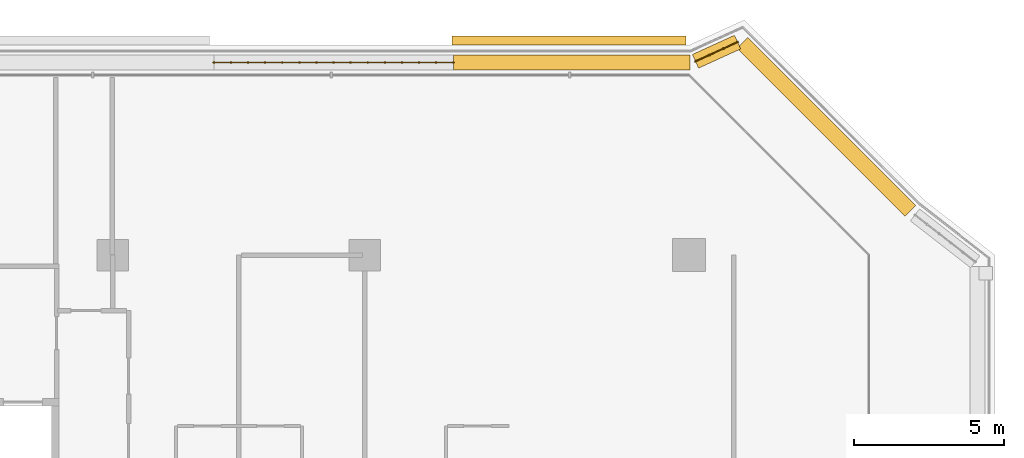
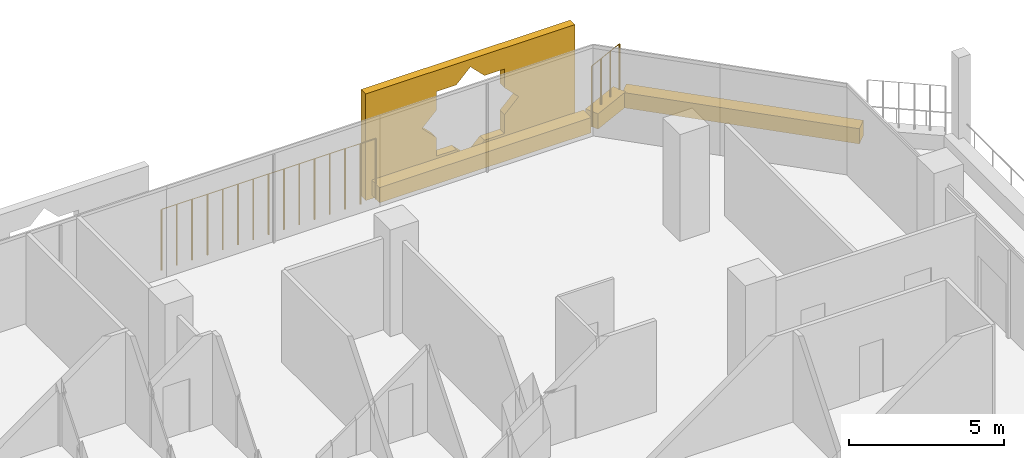
# One storey, part 25 of 25: 4 coverings, 2 railings.
"""IFC4 building model written with IfcOpenShell, lengths in metres."""

from ifc_helpers import new_model, si_unit, direction, frame, origin, origin_2d, place, context, subcontext, project, spatial, polyline, rectangle, circle, outline, extrude, material, material_profile, profile_set, type_object, element, save


model = new_model("IFC4")

# Units and contexts
model_context = context("Model", 3, precision=1e-05, world=origin(), true_north=direction((0.0, 1.0)))
body_context = subcontext(model_context, "Body", "Model", "MODEL_VIEW")
ifc_project = project(units=[si_unit("LENGTHUNIT", "METRE"), si_unit("AREAUNIT", "SQUARE_METRE"), si_unit("VOLUMEUNIT", "CUBIC_METRE"), si_unit("PLANEANGLEUNIT", "RADIAN"), si_unit("MASSUNIT", "GRAM", prefix="KILO")], contexts=[model_context])

# Site, building, storey
site_placement = place(None, origin())
site = spatial("IfcSite", under=ifc_project, at=site_placement, CompositionType="ELEMENT")
building_placement = place(site_placement, origin())
building = spatial("IfcBuilding", under=site, at=building_placement, Name="Kawkab Arch Medical Tower", CompositionType="ELEMENT")
storey_placement = place(building_placement, frame((0.0, 0.0, 136.60009765625)))
storey = spatial("IfcBuildingStorey", under=building, at=storey_placement, Name="L31", CompositionType="ELEMENT", Elevation=136.60009765625)

# Coverings
ifc_material_1 = material(Name="Bronze anodised aluminium mashrabiya panel, eight-point star pattern", Category="aluminium")
ifc_material_profile_1 = material_profile(ifc_material_1, outline(polyline([(-3.89990234375, -2.10009765625), (3.89990234375, -2.10009765625), (3.89990234375, 2.10009765625), (-3.89990234375, 2.10009765625), (-3.89990234375, -2.10009765625)]), holes=[polyline([(1.800048828125, 0.0), (1.272705078125, 0.527099609375), (1.272705078125, 1.272705078125), (0.527099609375, 1.272705078125), (0.0, 1.800048828125), (-0.527099609375, 1.272705078125), (-1.272705078125, 1.272705078125), (-1.272705078125, 0.527099609375), (-1.800048828125, 0.0), (-1.272705078125, -0.527099609375), (-1.272705078125, -1.272705078125), (-0.527099609375, -1.272705078125), (0.0, -1.800048828125), (0.527099609375, -1.272705078125), (1.272705078125, -1.272705078125), (1.272705078125, -0.527099609375), (1.800048828125, 0.0)])]), Name="Mashrabiya panel 7800x4200")
ifc_profile_set_1 = profile_set([ifc_material_profile_1], Name="Bronze anodised aluminium mashrabiya panel, eight-point star pattern")
covering_type_1 = type_object("IfcCoveringType", Name="Mashrabiya panel 7800 x 4200", PredefinedType="USERDEFINED", material=ifc_profile_set_1)
covering_1_placement = place(storey_placement, frame((65.60693359375, 7.0, 1.699951171875), z_axis=(0.0, 1.0, 0.0), x_axis=(-1.0, 0.0, 0.0)))
element("IfcCovering", 1, at=covering_1_placement, inside=storey, type_object=covering_type_1, Name="Mashrabiya panel L31.LOG-01-01.9", ObjectType="SCREEN", PredefinedType="USERDEFINED", context=body_context, shape_type="SweptSolid", body=[
    extrude(outline(polyline([(-3.89990234375, -2.10009765625), (3.89990234375, -2.10009765625), (3.89990234375, 2.10009765625), (-3.89990234375, 2.10009765625), (-3.89990234375, -2.10009765625)]), holes=[polyline([(1.800048828125, 0.0), (1.272705078125, 0.527099609375), (1.272705078125, 1.272705078125), (0.527099609375, 1.272705078125), (0.0, 1.800048828125), (-0.527099609375, 1.272705078125), (-1.272705078125, 1.272705078125), (-1.272705078125, 0.527099609375), (-1.800048828125, 0.0), (-1.272705078125, -0.527099609375), (-1.272705078125, -1.272705078125), (-0.527099609375, -1.272705078125), (0.0, -1.800048828125), (0.527099609375, -1.272705078125), (1.272705078125, -1.272705078125), (1.272705078125, -0.527099609375), (1.800048828125, 0.0)])]), origin(), (0.0, 0.0, 1.0), 0.300048828125),
])
ifc_material_2 = material(Name="Planting soil in a precast trough", Category="concrete")
ifc_material_profile_2 = material_profile(ifc_material_2, rectangle(XDim=0.5, YDim=0.60009765625, at=origin_2d()), Name="Trough 500x600")
ifc_profile_set_2 = profile_set([ifc_material_profile_2], Name="Planting soil in a precast trough")
covering_type_2 = type_object("IfcCoveringType", Name="Planter trough 500 x 600", PredefinedType="USERDEFINED", material=ifc_profile_set_2)
covering_2_placement = place(storey_placement, frame((61.743896484375, 6.419921875, 0.2998046875), z_axis=(1.0, 0.0, 0.0), x_axis=(0.0, 1.0, 0.0)))
element("IfcCovering", 2, at=covering_2_placement, inside=storey, type_object=covering_type_2, Name="Planter L31.LOG-01-01.24", ObjectType="PLANTER", PredefinedType="USERDEFINED", context=body_context, shape_type="SweptSolid", body=[
    extrude(rectangle(XDim=0.5, YDim=0.60009765625, at=origin_2d()), origin(), (0.0, 0.0, 1.0), 7.882080078125),
])
covering_3_placement = place(storey_placement, frame((69.81689453125, 6.4609375, 0.2998046875), z_axis=(0.909655525109, 0.415363486165, 0.0), x_axis=(-0.415363486165, 0.909655525109, 0.0)))
element("IfcCovering", 3, at=covering_3_placement, inside=storey, type_object=covering_type_2, Name="Planter L31.LOG-01-01.25", ObjectType="PLANTER", PredefinedType="USERDEFINED", context=body_context, shape_type="SweptSolid", body=[
    extrude(rectangle(XDim=0.5, YDim=0.60009765625, at=origin_2d()), origin(), (0.0, 0.0, 1.0), 1.54345703125),
])
covering_4_placement = place(storey_placement, frame((71.383056640625, 7.072998046875, 0.2998046875), z_axis=(0.707091367247, -0.70712219479, 0.0), x_axis=(0.70712219479, 0.707091367247, 0.0)))
element("IfcCovering", 4, at=covering_4_placement, inside=storey, type_object=covering_type_2, Name="Planter L31.LOG-01-01.26", ObjectType="PLANTER", PredefinedType="USERDEFINED", context=body_context, shape_type="SweptSolid", body=[
    extrude(rectangle(XDim=0.5, YDim=0.60009765625, at=origin_2d()), origin(), (0.0, 0.0, 1.0), 7.919677734375),
])

# Railings
ifc_material_3 = material(Name="Bronze anodised aluminium trellis for climbing plants", Category="aluminium")
railing_type = type_object("IfcRailingType", Name="Planting trellis 2400", PredefinedType="USERDEFINED", material=ifc_material_3)
railing_1_placement = place(storey_placement, frame((53.762939453125, 6.419921875, 0.0)))
element("IfcRailing", 5, at=railing_1_placement, inside=storey, type_object=railing_type, Name="Planting trellis L31.LOG-01-01.23", ObjectType="TRELLIS", PredefinedType="USERDEFINED", context=body_context, shape_type="SweptSolid", body=[
    extrude(circle(Radius=0.01513671875, at=origin_2d()), frame((0.0, 0.0, 2.384765625), z_axis=(1.0, 0.0, 0.0), x_axis=(0.0, 1.0, 0.0)), (0.0, 0.0, 1.0), 7.98095703125),
    extrude(circle(Radius=0.030029296875, at=origin_2d()), origin(), (0.0, 0.0, 1.0), 2.369873046875),
    extrude(circle(Radius=0.030029296875, at=origin_2d()), frame((0.570068359375, 0.0, 0.0)), (0.0, 0.0, 1.0), 2.369873046875),
    extrude(circle(Radius=0.030029296875, at=origin_2d()), frame((1.14013671875, 0.0, 0.0)), (0.0, 0.0, 1.0), 2.369873046875),
    extrude(circle(Radius=0.030029296875, at=origin_2d()), frame((1.710205078125, 0.0, 0.0)), (0.0, 0.0, 1.0), 2.369873046875),
    extrude(circle(Radius=0.030029296875, at=origin_2d()), frame((2.2802734375, 0.0, 0.0)), (0.0, 0.0, 1.0), 2.369873046875),
    extrude(circle(Radius=0.030029296875, at=origin_2d()), frame((2.850341796875, 0.0, 0.0)), (0.0, 0.0, 1.0), 2.369873046875),
    extrude(circle(Radius=0.030029296875, at=origin_2d()), frame((3.42041015625, 0.0, 0.0)), (0.0, 0.0, 1.0), 2.369873046875),
    extrude(circle(Radius=0.030029296875, at=origin_2d()), frame((3.990478515625, 0.0, 0.0)), (0.0, 0.0, 1.0), 2.369873046875),
    extrude(circle(Radius=0.030029296875, at=origin_2d()), frame((4.560546875, 0.0, 0.0)), (0.0, 0.0, 1.0), 2.369873046875),
    extrude(circle(Radius=0.030029296875, at=origin_2d()), frame((5.130615234375, 0.0, 0.0)), (0.0, 0.0, 1.0), 2.369873046875),
    extrude(circle(Radius=0.030029296875, at=origin_2d()), frame((5.70068359375, 0.0, 0.0)), (0.0, 0.0, 1.0), 2.369873046875),
    extrude(circle(Radius=0.030029296875, at=origin_2d()), frame((6.270751953125, 0.0, 0.0)), (0.0, 0.0, 1.0), 2.369873046875),
    extrude(circle(Radius=0.030029296875, at=origin_2d()), frame((6.8408203125, 0.0, 0.0)), (0.0, 0.0, 1.0), 2.369873046875),
    extrude(circle(Radius=0.030029296875, at=origin_2d()), frame((7.410888671875, 0.0, 0.0)), (0.0, 0.0, 1.0), 2.369873046875),
    extrude(circle(Radius=0.030029296875, at=origin_2d()), frame((7.98095703125, 0.0, 0.0)), (0.0, 0.0, 1.0), 2.369873046875),
])
railing_2_placement = place(storey_placement, frame((69.81689453125, 6.4609375, 0.0)))
element("IfcRailing", 6, at=railing_2_placement, inside=storey, type_object=railing_type, Name="Planting trellis L31.LOG-01-01.25", ObjectType="TRELLIS", PredefinedType="USERDEFINED", context=body_context, shape_type="SweptSolid", body=[
    extrude(circle(Radius=0.01513671875, at=origin_2d()), frame((0.0, 0.0, 2.384765625), z_axis=(0.909655525109, 0.415363486165, 0.0), x_axis=(-0.415363486165, 0.909655525109, 0.0)), (0.0, 0.0, 1.0), 1.54345703125),
    extrude(circle(Radius=0.030029296875, at=origin_2d()), origin(), (0.0, 0.0, 1.0), 2.369873046875),
    extrude(circle(Radius=0.030029296875, at=origin_2d()), frame((0.468017578125, 0.213623046875, 0.0)), (0.0, 0.0, 1.0), 2.369873046875),
    extrude(circle(Radius=0.030029296875, at=origin_2d()), frame((0.93603515625, 0.427490234375, 0.0)), (0.0, 0.0, 1.0), 2.369873046875),
    extrude(circle(Radius=0.030029296875, at=origin_2d()), frame((1.404052734375, 0.64111328125, 0.0)), (0.0, 0.0, 1.0), 2.369873046875),
])

save(model, "model.ifc")
